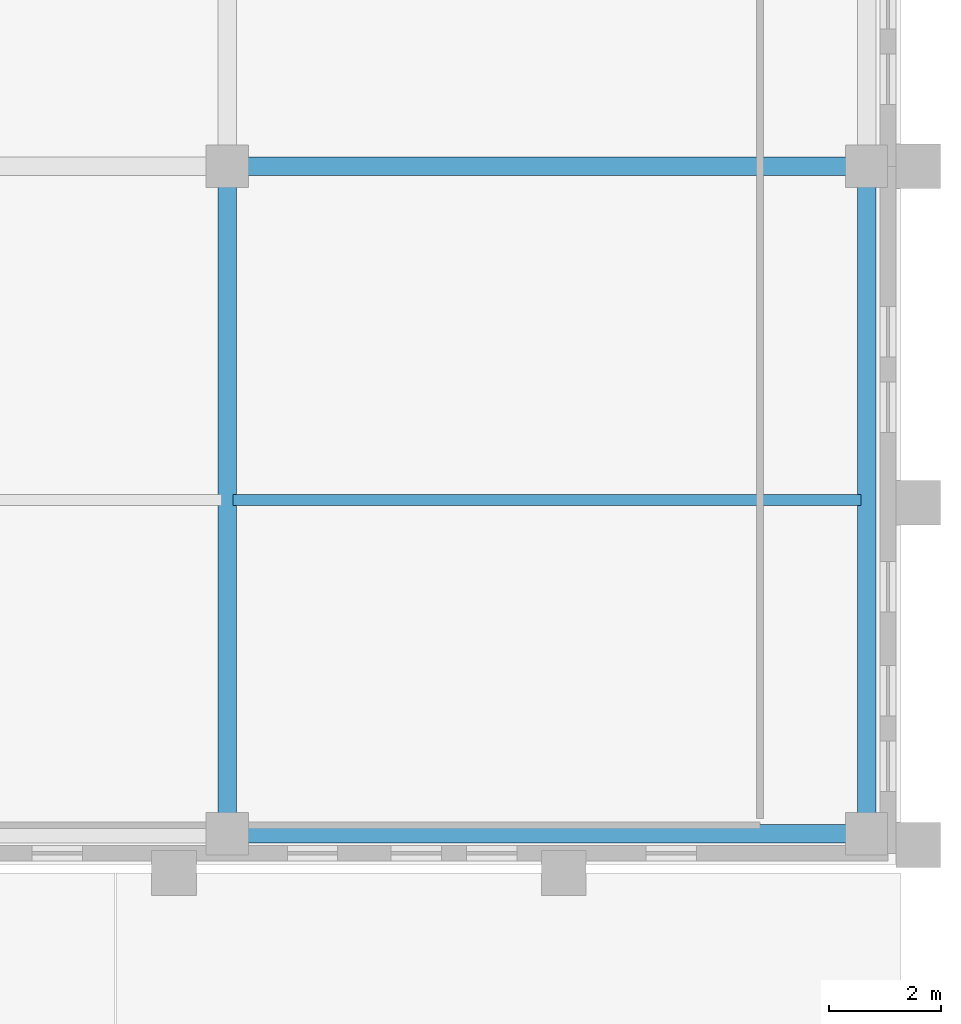
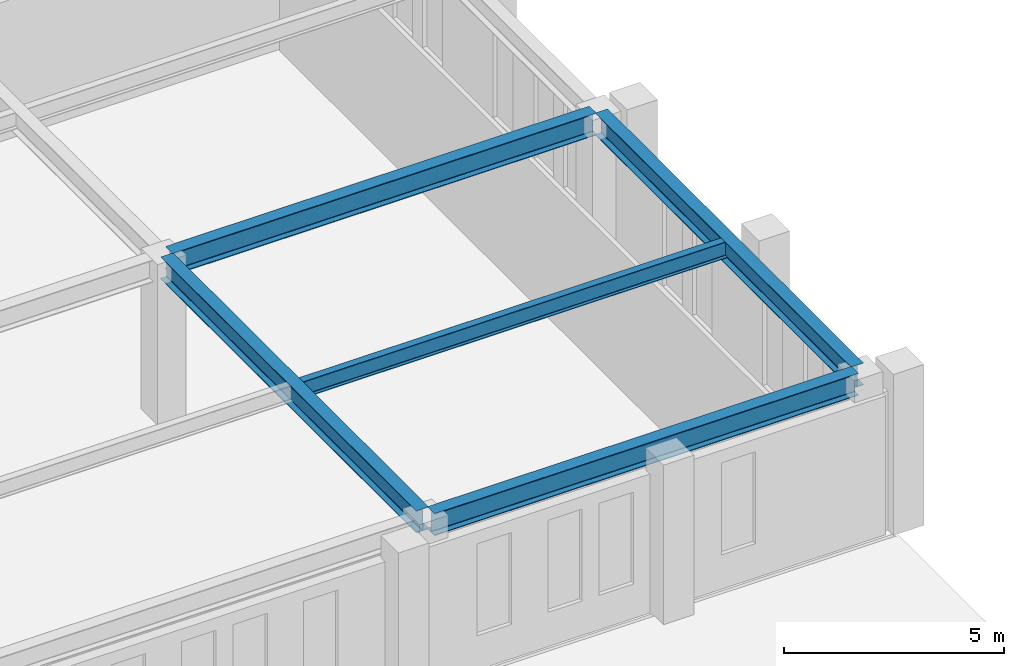
# One storey, part 37 of 79: 5 beams.
"""IFC4 building model written with IfcOpenShell, lengths in metres."""

from ifc_helpers import new_model, si_unit, derived_unit, direction, frame, origin, origin_2d, place, context, subcontext, project, spatial, i_section, extrude, material, material_profile, profile_set, type_object, element, save


model = new_model("IFC4")

# Units and contexts
model_context = context("Model", 3, precision=1e-05, world=origin(), true_north=direction((0.0, 1.0)))
body_context = subcontext(model_context, "Body", "Model", "MODEL_VIEW")
ifc_project = project(units=[si_unit("LENGTHUNIT", "METRE"), si_unit("AREAUNIT", "SQUARE_METRE"), si_unit("VOLUMEUNIT", "CUBIC_METRE"), si_unit("PLANEANGLEUNIT", "RADIAN"), si_unit("MASSUNIT", "GRAM", prefix="KILO"), derived_unit("THERMALTRANSMITTANCEUNIT", [(si_unit("MASSUNIT", "GRAM", prefix="KILO"), 1), (si_unit("TIMEUNIT", "SECOND"), -3), (si_unit("THERMODYNAMICTEMPERATUREUNIT", "KELVIN"), -1)])], contexts=[model_context])

# Site, building, storey
site_placement = place(None, origin())
site = spatial("IfcSite", under=ifc_project, at=site_placement, CompositionType="ELEMENT")
building_placement = place(site_placement, origin())
building = spatial("IfcBuilding", under=site, at=building_placement, Name="Valcora Ridge Arena", CompositionType="ELEMENT")
storey_placement = place(building_placement, frame((0.0, 0.0, 16.199951171875)))
storey = spatial("IfcBuildingStorey", under=building, at=storey_placement, Name="L03", CompositionType="ELEMENT", Elevation=16.199951171875)

# Beams
ifc_material = material(Name="Steel ASTM A572 Grade 50", Category="steel")
ifc_material_profile_1 = material_profile(ifc_material, i_section(OverallWidth=0.324951171875, OverallDepth=0.612060546875, WebThickness=0.0126953125, FlangeThickness=0.01904296875, FilletRadius=0.01806640625, at=origin_2d()), Name="W24X104")
ifc_profile_set_1 = profile_set([ifc_material_profile_1], Name="Steel ASTM A572 Grade 50")
beam_type_1 = type_object("IfcBeamType", Name="TY-BEAM-G-W24X104-X", PredefinedType="BEAM", material=ifc_profile_set_1)
beam_1_placement = place(storey_placement, frame((180.139892578125, 95.60009765625, 4.154052734375), z_axis=(1.0, 0.0, 0.0), x_axis=(0.0, 1.0, 0.0)))
element("IfcBeam", 1, at=beam_1_placement, inside=storey, type_object=beam_type_1, Name="G-W24X104-X BEM-G-W24X104-X-0096", PredefinedType="BEAM", context=body_context, shape_type="SweptSolid", body=[
    extrude(i_section(OverallWidth=0.324951171875, OverallDepth=0.612060546875, WebThickness=0.0126953125, FlangeThickness=0.01904296875, FilletRadius=0.01806640625, at=origin_2d()), origin(), (0.0, 0.0, 1.0), 11.1201171875),
])
ifc_material_profile_2 = material_profile(ifc_material, i_section(OverallWidth=0.324951171875, OverallDepth=0.612060546875, WebThickness=0.0126953125, FlangeThickness=0.01904296875, FilletRadius=0.01806640625, at=origin_2d()), Name="W24X104")
ifc_profile_set_2 = profile_set([ifc_material_profile_2], Name="Steel ASTM A572 Grade 50")
beam_type_2 = type_object("IfcBeamType", Name="TY-BEAM-G-W24X104-Y", PredefinedType="BEAM", material=ifc_profile_set_2)
for number, where, z_axis, x_axis, name in (
    (2, (180.0, 83.840087890625, 4.154052734375), (0.0, 1.0, 0.0), (-1.0, 0.0, 0.0), "G-W24X104-Y BEM-G-W24X104-Y-0138"),
    (3, (191.39990234375, 83.840087890625, 4.154052734375), (0.0, 1.0, 0.0), (-1.0, 0.0, 0.0), "G-W24X104-Y BEM-G-W24X104-Y-0142"),
):
    element("IfcBeam", number, at=place(storey_placement, frame(where, z_axis=z_axis, x_axis=x_axis)), inside=storey, type_object=beam_type_2, Name=name, PredefinedType="BEAM", context=body_context, shape_type="SweptSolid", body=[
        extrude(i_section(OverallWidth=0.324951171875, OverallDepth=0.612060546875, WebThickness=0.0126953125, FlangeThickness=0.01904296875, FilletRadius=0.01806640625, at=origin_2d()), origin(), (0.0, 0.0, 1.0), 11.619873046875),
    ])
ifc_material_profile_3 = material_profile(ifc_material, i_section(OverallWidth=0.18994140625, OverallDepth=0.45703125, WebThickness=0.009033203125, FlangeThickness=0.014404296875, FilletRadius=0.014892578125, at=origin_2d()), Name="W18X50")
ifc_profile_set_3 = profile_set([ifc_material_profile_3], Name="Steel ASTM A572 Grade 50")
beam_type_3 = type_object("IfcBeamType", Name="TY-BEAM-J-W18X50", PredefinedType="JOIST", material=ifc_profile_set_3)
beam_2_placement = place(storey_placement, frame((180.10009765625, 89.64990234375, 4.2314453125), z_axis=(1.0, 0.0, 0.0), x_axis=(0.0, 1.0, 0.0)))
element("IfcBeam", 4, at=beam_2_placement, inside=storey, type_object=beam_type_3, Name="J-W18X50 BEM-J-W18X50-0106", PredefinedType="JOIST", context=body_context, shape_type="SweptSolid", body=[
    extrude(i_section(OverallWidth=0.18994140625, OverallDepth=0.45703125, WebThickness=0.009033203125, FlangeThickness=0.014404296875, FilletRadius=0.014892578125, at=origin_2d()), origin(), (0.0, 0.0, 1.0), 11.199951171875),
])
ifc_material_profile_4 = material_profile(ifc_material, i_section(OverallWidth=0.324951171875, OverallDepth=0.612060546875, WebThickness=0.0126953125, FlangeThickness=0.01904296875, FilletRadius=0.01806640625, at=origin_2d()), Name="W24X104")
ifc_profile_set_4 = profile_set([ifc_material_profile_4], Name="Steel ASTM A572 Grade 50")
beam_type_4 = type_object("IfcBeamType", Name="TY-BEAM-SP-W24X104", PredefinedType="SPANDREL", material=ifc_profile_set_4)
beam_3_placement = place(storey_placement, frame((180.139892578125, 83.699951171875, 4.154052734375), z_axis=(1.0, 0.0, 0.0), x_axis=(0.0, 1.0, 0.0)))
element("IfcBeam", 5, at=beam_3_placement, inside=storey, type_object=beam_type_4, Name="SP-W24X104 BEM-SP-W24X104-0054", PredefinedType="SPANDREL", context=body_context, shape_type="SweptSolid", body=[
    extrude(i_section(OverallWidth=0.324951171875, OverallDepth=0.612060546875, WebThickness=0.0126953125, FlangeThickness=0.01904296875, FilletRadius=0.01806640625, at=origin_2d()), origin(), (0.0, 0.0, 1.0), 11.1201171875),
])

save(model, "model.ifc")
